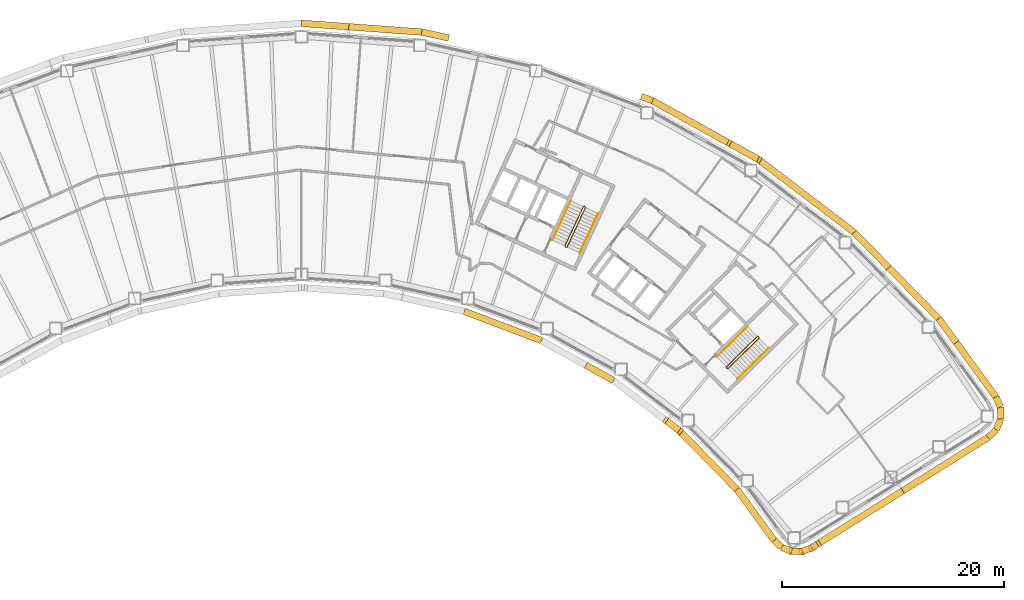
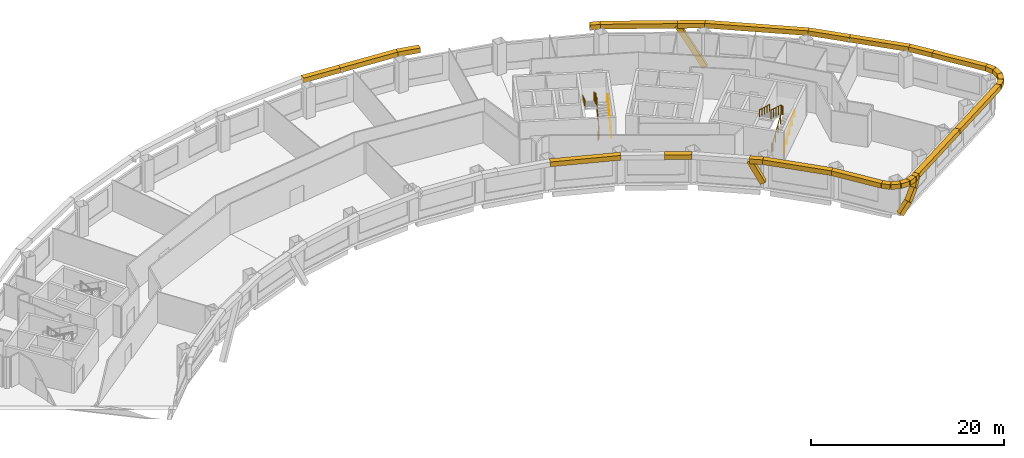
# One storey, part 12 of 13: 32 coverings, 6 railings.
"""IFC4 building model written with IfcOpenShell, lengths in metres."""

from ifc_helpers import new_model, si_unit, direction, frame, origin, origin_2d, place, context, subcontext, project, spatial, rectangle, circle, extrude, material, material_profile, profile_set, type_object, element, save


model = new_model("IFC4")

# Units and contexts
model_context = context("Model", 3, precision=1e-05, world=origin(), true_north=direction((0.0, 1.0)))
body_context = subcontext(model_context, "Body", "Model", "MODEL_VIEW")
ifc_project = project(units=[si_unit("LENGTHUNIT", "METRE"), si_unit("AREAUNIT", "SQUARE_METRE"), si_unit("VOLUMEUNIT", "CUBIC_METRE"), si_unit("PLANEANGLEUNIT", "RADIAN"), si_unit("MASSUNIT", "GRAM", prefix="KILO")], contexts=[model_context])

# Site, building, storey
site_placement = place(None, origin())
site = spatial("IfcSite", under=ifc_project, at=site_placement, CompositionType="ELEMENT")
building_placement = place(site_placement, origin())
building = spatial("IfcBuilding", under=site, at=building_placement, Name="Tuul Gate Civic Tower", CompositionType="ELEMENT")
storey_placement = place(building_placement, frame((0.0, 0.0, 111.89990234375)))
storey = spatial("IfcBuildingStorey", under=building, at=storey_placement, Name="Level 25", CompositionType="ELEMENT", Elevation=111.89990234375)

# Railings
ifc_material_1 = material(Name="Painted steel", Category="steel")
railing_type_1 = type_object("IfcRailingType", Name="Stair guard", PredefinedType="GUARDRAIL", material=ifc_material_1)
railing_1_placement = place(storey_placement, frame((48.10546875, -16.134765625, 0.0)))
element("IfcRailing", 1, at=railing_1_placement, inside=storey, type_object=railing_type_1, Name="Level 25 ST-3 stair guard 1", PredefinedType="GUARDRAIL", context=body_context, shape_type="SweptSolid", body=[
    extrude(circle(Radius=0.02392578125, at=origin_2d()), frame((0.0, 0.0, 1.076171875), z_axis=(-0.698506948293, 0.715603272202, 0.0), x_axis=(-0.715603272202, -0.698506948293, 0.0)), (0.0, 0.0, 1.0), 0.099853515625),
    extrude(circle(Radius=0.02392578125, at=origin_2d()), frame((-0.06982421875, 0.071533203125, 1.076171875), z_axis=(0.644948864628, -0.331432055434, 0.688617277337), x_axis=(0.457068866502, 0.889431307788, 0.0)), (0.0, 0.0, 1.0), 0.218017578125),
    extrude(circle(Radius=0.02392578125, at=origin_2d()), frame((0.07080078125, -0.000732421875, 1.22607421875), z_axis=(0.638731261263, 0.626133563701, 0.447190268558), x_axis=(-0.700029477518, 0.714113947914, 0.0)), (0.0, 0.0, 1.0), 4.3603515625),
    extrude(circle(Radius=0.02392578125, at=origin_2d()), frame((2.85595703125, 2.7294921875, 3.17626953125), z_axis=(0.010380063588, 0.999946125689, 0.0), x_axis=(-0.999946125689, 0.010380063588, 0.0)), (0.0, 0.0, 1.0), 0.070556640625),
    extrude(circle(Radius=0.02392578125, at=origin_2d()), frame((2.856689453125, 2.800048828125, 3.17626953125), z_axis=(-0.699754442181, 0.714383454909, 0.0), x_axis=(-0.714383454909, -0.699754442181, 0.0)), (0.0, 0.0, 1.0), 0.10009765625),
    extrude(circle(Radius=0.02392578125, at=origin_2d()), frame((2.78662109375, 2.87158203125, 3.17626953125), z_axis=(-0.427069033481, 0.004417955519, 0.904208229508), x_axis=(-0.010344274102, -0.999946496565, 0.0)), (0.0, 0.0, 1.0), 0.165771484375),
    extrude(circle(Radius=0.02392578125, at=origin_2d()), frame((2.7158203125, 2.872314453125, 3.326171875), z_axis=(-0.638715268259, -0.626117886127, 0.447235059857), x_axis=(0.700029477518, -0.714113947914, 0.0)), (0.0, 0.0, 1.0), 4.360595703125),
    extrude(circle(Radius=0.02099609375, at=origin_2d()), origin(), (0.0, 0.0, 1.0), 1.052001953125),
    extrude(circle(Radius=0.02099609375, at=origin_2d()), frame((-0.06982421875, 0.071533203125, 0.0)), (0.0, 0.0, 1.0), 1.052001953125),
    extrude(circle(Radius=0.02099609375, at=origin_2d()), frame((0.07080078125, -0.000732421875, 0.150146484375)), (0.0, 0.0, 1.0), 1.052001953125),
    extrude(circle(Radius=0.02099609375, at=origin_2d()), frame((0.76708984375, 0.681884765625, 0.6376953125)), (0.0, 0.0, 1.0), 1.052001953125),
    extrude(circle(Radius=0.02099609375, at=origin_2d()), frame((1.46337890625, 1.3642578125, 1.125)), (0.0, 0.0, 1.0), 1.052001953125),
    extrude(circle(Radius=0.02099609375, at=origin_2d()), frame((2.15966796875, 2.046875, 1.612548828125)), (0.0, 0.0, 1.0), 1.052001953125),
    extrude(circle(Radius=0.02099609375, at=origin_2d()), frame((2.85595703125, 2.7294921875, 2.10009765625)), (0.0, 0.0, 1.0), 1.052001953125),
    extrude(circle(Radius=0.02099609375, at=origin_2d()), frame((2.856689453125, 2.800048828125, 2.10009765625)), (0.0, 0.0, 1.0), 1.052001953125),
    extrude(circle(Radius=0.02099609375, at=origin_2d()), frame((2.78662109375, 2.87158203125, 2.10009765625)), (0.0, 0.0, 1.0), 1.052001953125),
    extrude(circle(Radius=0.02099609375, at=origin_2d()), frame((2.7158203125, 2.872314453125, 2.25)), (0.0, 0.0, 1.0), 1.052001953125),
    extrude(circle(Radius=0.02099609375, at=origin_2d()), frame((2.01953125, 2.189697265625, 2.737548828125)), (0.0, 0.0, 1.0), 1.052001953125),
    extrude(circle(Radius=0.02099609375, at=origin_2d()), frame((1.3232421875, 1.50732421875, 3.22509765625)), (0.0, 0.0, 1.0), 1.052001953125),
    extrude(circle(Radius=0.02099609375, at=origin_2d()), frame((0.626953125, 0.82470703125, 3.712646484375)), (0.0, 0.0, 1.0), 1.052001953125),
    extrude(circle(Radius=0.02099609375, at=origin_2d()), frame((-0.0693359375, 0.14208984375, 4.2001953125)), (0.0, 0.0, 1.0), 1.052001953125),
])
railing_2_placement = place(storey_placement, frame((33.645751953125, -5.238525390625, 0.0)))
element("IfcRailing", 2, at=railing_2_placement, inside=storey, type_object=railing_type_1, Name="Level 25 ST-4 stair guard 1", PredefinedType="GUARDRAIL", context=body_context, shape_type="SweptSolid", body=[
    extrude(circle(Radius=0.02392578125, at=origin_2d()), frame((0.0, 0.0, 1.076171875), z_axis=(-0.906307919131, 0.422617978463, 0.0), x_axis=(-0.422617978463, -0.906307919131, 0.0)), (0.0, 0.0, 1.0), 0.099853515625),
    extrude(circle(Radius=0.02392578125, at=origin_2d()), frame((-0.090576171875, 0.042236328125, 1.076171875), z_axis=(0.720179819621, -0.082882280952, 0.688818956559), x_axis=(0.114330889033, 0.993442724979, 0.0)), (0.0, 0.0, 1.0), 0.218017578125),
    extrude(circle(Radius=0.02392578125, at=origin_2d()), frame((0.06640625, 0.024169921875, 1.22607421875), z_axis=(0.377946903738, 0.810654114417, 0.447209173356), x_axis=(-0.906336612539, 0.422556439746, 0.0)), (0.0, 0.0, 1.0), 4.3603515625),
    extrude(circle(Radius=0.02392578125, at=origin_2d()), frame((1.71435546875, 3.558837890625, 3.17626953125), z_axis=(-0.342020437038, 0.939692513883, 0.0), x_axis=(-0.939692513883, -0.342020437038, 0.0)), (0.0, 0.0, 1.0), 0.070556640625),
    extrude(circle(Radius=0.02392578125, at=origin_2d()), frame((1.690185546875, 3.625244140625, 3.17626953125), z_axis=(-0.906307919131, 0.422617978463, 0.0), x_axis=(-0.422617978463, -0.906307919131, 0.0)), (0.0, 0.0, 1.0), 0.099853515625),
    extrude(circle(Radius=0.02392578125, at=origin_2d()), frame((1.599609375, 3.66748046875, 3.17626953125), z_axis=(-0.40070210376, -0.145843780413, 0.904526072458), x_axis=(0.342020437038, -0.939692513883, 0.0)), (0.0, 0.0, 1.0), 0.165771484375),
    extrude(circle(Radius=0.02392578125, at=origin_2d()), frame((1.533203125, 3.643310546875, 3.326171875), z_axis=(-0.377937439636, -0.810633814971, 0.447253965602), x_axis=(0.906336612539, -0.422556439746, 0.0)), (0.0, 0.0, 1.0), 4.3603515625),
    extrude(circle(Radius=0.02099609375, at=origin_2d()), origin(), (0.0, 0.0, 1.0), 1.052001953125),
    extrude(circle(Radius=0.02099609375, at=origin_2d()), frame((-0.090576171875, 0.042236328125, 0.0)), (0.0, 0.0, 1.0), 1.052001953125),
    extrude(circle(Radius=0.02099609375, at=origin_2d()), frame((0.06640625, 0.024169921875, 0.150146484375)), (0.0, 0.0, 1.0), 1.052001953125),
    extrude(circle(Radius=0.02099609375, at=origin_2d()), frame((0.478515625, 0.90771484375, 0.6376953125)), (0.0, 0.0, 1.0), 1.052001953125),
    extrude(circle(Radius=0.02099609375, at=origin_2d()), frame((0.890380859375, 1.79150390625, 1.125)), (0.0, 0.0, 1.0), 1.052001953125),
    extrude(circle(Radius=0.02099609375, at=origin_2d()), frame((1.30224609375, 2.67529296875, 1.612548828125)), (0.0, 0.0, 1.0), 1.052001953125),
    extrude(circle(Radius=0.02099609375, at=origin_2d()), frame((1.71435546875, 3.558837890625, 2.10009765625)), (0.0, 0.0, 1.0), 1.052001953125),
    extrude(circle(Radius=0.02099609375, at=origin_2d()), frame((1.690185546875, 3.625244140625, 2.10009765625)), (0.0, 0.0, 1.0), 1.052001953125),
    extrude(circle(Radius=0.02099609375, at=origin_2d()), frame((1.599609375, 3.66748046875, 2.10009765625)), (0.0, 0.0, 1.0), 1.052001953125),
    extrude(circle(Radius=0.02099609375, at=origin_2d()), frame((1.533203125, 3.643310546875, 2.25)), (0.0, 0.0, 1.0), 1.052001953125),
    extrude(circle(Radius=0.02099609375, at=origin_2d()), frame((1.12109375, 2.759765625, 2.737548828125)), (0.0, 0.0, 1.0), 1.052001953125),
    extrude(circle(Radius=0.02099609375, at=origin_2d()), frame((0.709228515625, 1.8759765625, 3.22509765625)), (0.0, 0.0, 1.0), 1.052001953125),
    extrude(circle(Radius=0.02099609375, at=origin_2d()), frame((0.29736328125, 0.9921875, 3.712646484375)), (0.0, 0.0, 1.0), 1.052001953125),
    extrude(circle(Radius=0.02099609375, at=origin_2d()), frame((-0.11474609375, 0.108642578125, 4.2001953125)), (0.0, 0.0, 1.0), 1.052001953125),
])
ifc_material_2 = material(Name="Painted steel", Category="steel")
railing_type_2 = type_object("IfcRailingType", Name="Stair handrail", PredefinedType="HANDRAIL", material=ifc_material_2)
railing_3_placement = place(storey_placement, frame((49.05126953125, -17.028076171875, 0.150146484375)))
element("IfcRailing", 3, at=railing_3_placement, inside=storey, type_object=railing_type_2, Name="Level 25 ST-3 stair handrail 1", PredefinedType="HANDRAIL", context=body_context, shape_type="SweptSolid", body=[
    extrude(circle(Radius=0.02392578125, at=origin_2d()), frame((0.0, 0.0, 0.8759765625), z_axis=(0.638753653487, 0.626099522554, 0.447205945863), x_axis=(-0.699997553204, 0.714145241186, 0.0)), (0.0, 0.0, 1.0), 4.3603515625),
    extrude(circle(Radius=0.02099609375, at=origin_2d()), origin(), (0.0, 0.0, 1.0), 0.851806640625),
    extrude(circle(Radius=0.02099609375, at=origin_2d()), frame((0.6962890625, 0.6826171875, 0.487548828125)), (0.0, 0.0, 1.0), 0.851806640625),
    extrude(circle(Radius=0.02099609375, at=origin_2d()), frame((1.392578125, 1.364990234375, 0.97509765625)), (0.0, 0.0, 1.0), 0.851806640625),
    extrude(circle(Radius=0.02099609375, at=origin_2d()), frame((2.0888671875, 2.04736328125, 1.46240234375)), (0.0, 0.0, 1.0), 0.851806640625),
    extrude(circle(Radius=0.02099609375, at=origin_2d()), frame((2.78515625, 2.72998046875, 1.949951171875)), (0.0, 0.0, 1.0), 0.851806640625),
])
railing_4_placement = place(storey_placement, frame((49.9462890625, -12.369873046875, 2.25)))
element("IfcRailing", 4, at=railing_4_placement, inside=storey, type_object=railing_type_2, Name="Level 25 ST-3 stair handrail 2", PredefinedType="HANDRAIL", context=body_context, shape_type="SweptSolid", body=[
    extrude(circle(Radius=0.02392578125, at=origin_2d()), frame((0.0, 0.0, 0.8759765625), z_axis=(-0.638737658801, -0.626083844733, 0.447250737947), x_axis=(0.699997553204, -0.714145241186, 0.0)), (0.0, 0.0, 1.0), 4.3603515625),
    extrude(circle(Radius=0.02099609375, at=origin_2d()), origin(), (0.0, 0.0, 1.0), 0.851806640625),
    extrude(circle(Radius=0.02099609375, at=origin_2d()), frame((-0.6962890625, -0.6826171875, 0.487548828125)), (0.0, 0.0, 1.0), 0.851806640625),
    extrude(circle(Radius=0.02099609375, at=origin_2d()), frame((-1.392578125, -1.364990234375, 0.97509765625)), (0.0, 0.0, 1.0), 0.851806640625),
    extrude(circle(Radius=0.02099609375, at=origin_2d()), frame((-2.0888671875, -2.04736328125, 1.462646484375)), (0.0, 0.0, 1.0), 0.851806640625),
    extrude(circle(Radius=0.02099609375, at=origin_2d()), frame((-2.78515625, -2.72998046875, 1.9501953125)), (0.0, 0.0, 1.0), 0.851806640625),
])
railing_5_placement = place(storey_placement, frame((34.844970703125, -5.74267578125, 0.150146484375)))
element("IfcRailing", 5, at=railing_5_placement, inside=storey, type_object=railing_type_2, Name="Level 25 ST-4 stair handrail 1", PredefinedType="HANDRAIL", context=body_context, shape_type="SweptSolid", body=[
    extrude(circle(Radius=0.02392578125, at=origin_2d()), frame((0.0, 0.0, 0.8759765625), z_axis=(0.377994896215, 0.810636958585, 0.447199709091), x_axis=(-0.906312636903, 0.422607861012, 0.0)), (0.0, 0.0, 1.0), 4.3603515625),
    extrude(circle(Radius=0.02099609375, at=origin_2d()), origin(), (0.0, 0.0, 1.0), 0.851806640625),
    extrude(circle(Radius=0.02099609375, at=origin_2d()), frame((0.412109375, 0.8837890625, 0.487548828125)), (0.0, 0.0, 1.0), 0.851806640625),
    extrude(circle(Radius=0.02099609375, at=origin_2d()), frame((0.82421875, 1.767333984375, 0.97509765625)), (0.0, 0.0, 1.0), 0.851806640625),
    extrude(circle(Radius=0.02099609375, at=origin_2d()), frame((1.236083984375, 2.65087890625, 1.46240234375)), (0.0, 0.0, 1.0), 0.851806640625),
    extrude(circle(Radius=0.02099609375, at=origin_2d()), frame((1.648193359375, 3.53466796875, 1.949951171875)), (0.0, 0.0, 1.0), 0.851806640625),
])
railing_6_placement = place(storey_placement, frame((34.046142578125, -1.06689453125, 2.25)))
element("IfcRailing", 6, at=railing_6_placement, inside=storey, type_object=railing_type_2, Name="Level 25 ST-4 stair handrail 2", PredefinedType="HANDRAIL", context=body_context, shape_type="SweptSolid", body=[
    extrude(circle(Radius=0.02392578125, at=origin_2d()), frame((0.0, 0.0, 0.8759765625), z_axis=(-0.377985431313, -0.810616660428, 0.447244500863), x_axis=(0.906312636903, -0.422607861012, 0.0)), (0.0, 0.0, 1.0), 4.3603515625),
    extrude(circle(Radius=0.02099609375, at=origin_2d()), origin(), (0.0, 0.0, 1.0), 0.851806640625),
    extrude(circle(Radius=0.02099609375, at=origin_2d()), frame((-0.412109375, -0.8837890625, 0.487548828125)), (0.0, 0.0, 1.0), 0.851806640625),
    extrude(circle(Radius=0.02099609375, at=origin_2d()), frame((-0.82421875, -1.767333984375, 0.97509765625)), (0.0, 0.0, 1.0), 0.851806640625),
    extrude(circle(Radius=0.02099609375, at=origin_2d()), frame((-1.236083984375, -2.65087890625, 1.462646484375)), (0.0, 0.0, 1.0), 0.851806640625),
    extrude(circle(Radius=0.02099609375, at=origin_2d()), frame((-1.648193359375, -3.53466796875, 1.9501953125)), (0.0, 0.0, 1.0), 0.851806640625),
])

# Coverings
ifc_material_3 = material(Name="Terracotta baguette", Category="masonry")
ifc_material_profile = material_profile(ifc_material_3, rectangle(XDim=0.60009765625, YDim=0.60009765625, at=origin_2d()), Name="Terracotta baguette screen frame")
ifc_profile_set = profile_set([ifc_material_profile], Name="Terracotta baguette")
covering_type = type_object("IfcCoveringType", Name="Terracotta baguette screen frame", PredefinedType="CLADDING", material=ifc_profile_set)
covering_1_placement = place(storey_placement, frame((68.69921875, -13.815673828125, 3.85009765625), z_axis=(-0.589849818938, 0.80751296652, 0.0), x_axis=(-0.80751296652, -0.589849818938, 0.0)))
element("IfcCovering", 7, at=covering_1_placement, inside=storey, type_object=covering_type, Name="Baguette 23", PredefinedType="CLADDING", context=body_context, shape_type="SweptSolid", body=[
    extrude(rectangle(XDim=0.60009765625, YDim=0.60009765625, at=origin_2d()), origin(), (0.0, 0.0, 1.0), 2.6796875),
])
covering_2_placement = place(storey_placement, frame((67.11865234375, -11.65185546875, 3.85009765625), z_axis=(-0.699983010406, 0.714159495591, 0.0), x_axis=(-0.714159495591, -0.699983010406, 0.0)))
element("IfcCovering", 8, at=covering_2_placement, inside=storey, type_object=covering_type, Name="Baguette 24", PredefinedType="CLADDING", context=body_context, shape_type="SweptSolid", body=[
    extrude(rectangle(XDim=0.60009765625, YDim=0.60009765625, at=origin_2d()), origin(), (0.0, 0.0, 1.0), 6.406494140625),
])
covering_3_placement = place(storey_placement, frame((50.88916015625, 2.671630859375, -1.42431640625), z_axis=(-0.41562619347, 0.230355879497, 0.879881262491), x_axis=(-0.484762160547, -0.874646012797, 0.0)))
element("IfcCovering", 9, at=covering_3_placement, inside=storey, type_object=covering_type, Name="Baguette 40", PredefinedType="CLADDING", context=body_context, shape_type="SweptSolid", body=[
    extrude(rectangle(XDim=0.60009765625, YDim=0.60009765625, at=origin_2d()), origin(), (0.0, 0.0, 1.0), 5.994384765625),
])
covering_4_placement = place(storey_placement, frame((48.397705078125, 4.052490234375, 3.85009765625), z_axis=(-0.874620231092, 0.484808675009, 0.0), x_axis=(-0.484808675009, -0.874620231092, 0.0)))
element("IfcCovering", 10, at=covering_4_placement, inside=storey, type_object=covering_type, Name="Baguette 47", PredefinedType="CLADDING", context=body_context, shape_type="SweptSolid", body=[
    extrude(rectangle(XDim=0.60009765625, YDim=0.60009765625, at=origin_2d()), origin(), (0.0, 0.0, 1.0), 8.0029296875),
])
covering_5_placement = place(storey_placement, frame((41.398193359375, 7.932373046875, 3.85009765625), z_axis=(-0.935406677507, 0.353573680688, 0.0), x_axis=(-0.353573680688, -0.935406677507, 0.0)))
element("IfcCovering", 11, at=covering_5_placement, inside=storey, type_object=covering_type, Name="Baguette 48", PredefinedType="CLADDING", context=body_context, shape_type="SweptSolid", body=[
    extrude(rectangle(XDim=0.60009765625, YDim=0.60009765625, at=origin_2d()), origin(), (0.0, 0.0, 1.0), 1.069580078125),
])
covering_6_placement = place(storey_placement, frame((23.0810546875, 13.569580078125, 3.85009765625), z_axis=(-0.976571103923, 0.215194978989, 0.0), x_axis=(-0.215194978989, -0.976571103923, 0.0)))
element("IfcCovering", 12, at=covering_6_placement, inside=storey, type_object=covering_type, Name="Baguette 65", PredefinedType="CLADDING", context=body_context, shape_type="SweptSolid", body=[
    extrude(rectangle(XDim=0.60009765625, YDim=0.60009765625, at=origin_2d()), origin(), (0.0, 0.0, 1.0), 2.488037109375),
])
covering_7_placement = place(storey_placement, frame((20.6513671875, 14.10498046875, 3.85009765625), z_axis=(-0.997379990438, 0.072340546539, 0.0), x_axis=(-0.072340546539, -0.997379990438, 0.0)))
element("IfcCovering", 13, at=covering_7_placement, inside=storey, type_object=covering_type, Name="Baguette 66", PredefinedType="CLADDING", context=body_context, shape_type="SweptSolid", body=[
    extrude(rectangle(XDim=0.60009765625, YDim=0.60009765625, at=origin_2d()), origin(), (0.0, 0.0, 1.0), 6.58447265625),
])
covering_8_placement = place(storey_placement, frame((35.40283203125, -15.841552734375, 3.85009765625), z_axis=(0.874621104425, -0.484807099468, 0.0), x_axis=(0.484807099468, 0.874621104425, 0.0)))
element("IfcCovering", 14, at=covering_8_placement, inside=storey, type_object=covering_type, Name="Baguette 242", PredefinedType="CLADDING", context=body_context, shape_type="SweptSolid", body=[
    extrude(rectangle(XDim=0.60009765625, YDim=0.60009765625, at=origin_2d()), origin(), (0.0, 0.0, 1.0), 2.852783203125),
])
covering_9_placement = place(storey_placement, frame((42.670654296875, -20.859130859375, 3.85009765625), z_axis=(0.370840052138, -0.282441666359, -0.88470580468), x_axis=(0.605903218939, 0.795538364429, 0.0)))
element("IfcCovering", 15, at=covering_9_placement, inside=storey, type_object=covering_type, Name="Baguette 246", PredefinedType="CLADDING", context=body_context, shape_type="SweptSolid", body=[
    extrude(rectangle(XDim=0.60009765625, YDim=0.60009765625, at=origin_2d()), origin(), (0.0, 0.0, 1.0), 3.04345703125),
])
covering_10_placement = place(storey_placement, frame((53.899658203125, -32.571533203125, 0.17626953125), z_axis=(0.60248769528, -0.001814266586, 0.798126108753), x_axis=(0.003011278693, 0.99999546609, 0.0)))
element("IfcCovering", 16, at=covering_10_placement, inside=storey, type_object=covering_type, Name="Baguette 267", PredefinedType="CLADDING", context=body_context, shape_type="SweptSolid", body=[
    extrude(rectangle(XDim=0.60009765625, YDim=0.60009765625, at=origin_2d()), origin(), (0.0, 0.0, 1.0), 1.61474609375),
])
covering_11_placement = place(storey_placement, frame((54.87255859375, -32.574462890625, 1.465087890625), z_axis=(0.534089777671, 0.207744645016, 0.819506114592), x_axis=(-0.362511535842, 0.931979284309, 0.0)))
element("IfcCovering", 17, at=covering_11_placement, inside=storey, type_object=covering_type, Name="Baguette 268", PredefinedType="CLADDING", context=body_context, shape_type="SweptSolid", body=[
    extrude(rectangle(XDim=0.60009765625, YDim=0.60009765625, at=origin_2d()), origin(), (0.0, 0.0, 1.0), 1.57470703125),
])
covering_12_placement = place(storey_placement, frame((55.713623046875, -32.247314453125, 2.755615234375), z_axis=(0.402352266006, 0.251347438013, 0.880305128603), x_axis=(-0.52981289744, 0.848114552231, 0.0)))
element("IfcCovering", 18, at=covering_12_placement, inside=storey, type_object=covering_type, Name="Baguette 269", PredefinedType="CLADDING", context=body_context, shape_type="SweptSolid", body=[
    extrude(rectangle(XDim=0.60009765625, YDim=0.60009765625, at=origin_2d()), origin(), (0.0, 0.0, 1.0), 1.243408203125),
])
covering_13_placement = place(storey_placement, frame((56.2138671875, -31.934814453125, 3.85009765625), z_axis=(0.848058898511, 0.529901976461, 0.0), x_axis=(-0.529901976461, 0.848058898511, 0.0)))
element("IfcCovering", 19, at=covering_13_placement, inside=storey, type_object=covering_type, Name="Baguette 283", PredefinedType="CLADDING", context=body_context, shape_type="SweptSolid", body=[
    extrude(rectangle(XDim=0.60009765625, YDim=0.60009765625, at=origin_2d()), origin(), (0.0, 0.0, 1.0), 9.05322265625),
])
covering_14_placement = place(storey_placement, frame((63.8916015625, -27.137451171875, 3.85009765625), z_axis=(0.848046779804, 0.529921370832, 0.0), x_axis=(-0.529921370832, 0.848046779804, 0.0)))
element("IfcCovering", 20, at=covering_14_placement, inside=storey, type_object=covering_type, Name="Baguette 285", PredefinedType="CLADDING", context=body_context, shape_type="SweptSolid", body=[
    extrude(rectangle(XDim=0.60009765625, YDim=0.60009765625, at=origin_2d()), origin(), (0.0, 0.0, 1.0), 9.053466796875),
])
covering_15_placement = place(storey_placement, frame((71.5693359375, -22.33984375, 3.85009765625), z_axis=(0.721550422979, 0.69236189027, 0.0), x_axis=(-0.69236189027, 0.721550422979, 0.0)))
element("IfcCovering", 21, at=covering_15_placement, inside=storey, type_object=covering_type, Name="Baguette 286", PredefinedType="CLADDING", context=body_context, shape_type="SweptSolid", body=[
    extrude(rectangle(XDim=0.60009765625, YDim=0.60009765625, at=origin_2d()), origin(), (0.0, 0.0, 1.0), 0.987060546875),
])
for number, where, z_axis, x_axis, name in (
    (22, (72.281494140625, -21.656494140625, 3.85009765625), (0.386726676251, 0.922194381829, 0.0), (-0.922194381829, 0.386726676251, 0.0), "Baguette 287"),
    (23, (72.694091796875, -20.672607421875, 3.85009765625), (-0.014414978083, 0.999896098806, 0.0), (-0.999896098806, -0.014414978083, 0.0), "Baguette 288"),
):
    element("IfcCovering", number, at=place(storey_placement, frame(where, z_axis=z_axis, x_axis=x_axis)), inside=storey, type_object=covering_type, Name=name, PredefinedType="CLADDING", context=body_context, shape_type="SweptSolid", body=[
        extrude(rectangle(XDim=0.60009765625, YDim=0.60009765625, at=origin_2d()), origin(), (0.0, 0.0, 1.0), 1.06689453125),
    ])
covering_16_placement = place(storey_placement, frame((72.6787109375, -19.605712890625, 3.85009765625), z_axis=(-0.4130215853, 0.910721236206, 0.0), x_axis=(-0.910721236206, -0.4130215853, 0.0)))
element("IfcCovering", 24, at=covering_16_placement, inside=storey, type_object=covering_type, Name="Baguette 289", PredefinedType="CLADDING", context=body_context, shape_type="SweptSolid", body=[
    extrude(rectangle(XDim=0.60009765625, YDim=0.60009765625, at=origin_2d()), origin(), (0.0, 0.0, 1.0), 0.989013671875),
])
covering_17_placement = place(storey_placement, frame((72.270263671875, -18.705078125, 3.85009765625), z_axis=(-0.58980325004, 0.807546980827, 0.0), x_axis=(-0.807546980827, -0.58980325004, 0.0)))
element("IfcCovering", 25, at=covering_17_placement, inside=storey, type_object=covering_type, Name="Baguette 290", PredefinedType="CLADDING", context=body_context, shape_type="SweptSolid", body=[
    extrude(rectangle(XDim=0.60009765625, YDim=0.60009765625, at=origin_2d()), origin(), (0.0, 0.0, 1.0), 6.0546875),
])
covering_18_placement = place(storey_placement, frame((62.63427734375, -7.07666015625, 3.85009765625), z_axis=(-0.699986292885, 0.714156278257, 0.0), x_axis=(-0.714156278257, -0.699986292885, 0.0)))
element("IfcCovering", 26, at=covering_18_placement, inside=storey, type_object=covering_type, Name="Baguette 297", PredefinedType="CLADDING", context=body_context, shape_type="SweptSolid", body=[
    extrude(rectangle(XDim=0.60009765625, YDim=0.60009765625, at=origin_2d()), origin(), (0.0, 0.0, 1.0), 4.445068359375),
])
covering_19_placement = place(storey_placement, frame((59.522705078125, -3.902099609375, 3.85009765625), z_axis=(-0.795618643442, 0.605797799771, 0.0), x_axis=(-0.605797799771, -0.795618643442, 0.0)))
element("IfcCovering", 27, at=covering_19_placement, inside=storey, type_object=covering_type, Name="Baguette 298", PredefinedType="CLADDING", context=body_context, shape_type="SweptSolid", body=[
    extrude(rectangle(XDim=0.60009765625, YDim=0.60009765625, at=origin_2d()), origin(), (0.0, 0.0, 1.0), 10.851318359375),
])
covering_20_placement = place(storey_placement, frame((50.88916015625, 2.671630859375, 3.85009765625), z_axis=(-0.874646012797, 0.484762160547, 0.0), x_axis=(-0.484762160547, -0.874646012797, 0.0)))
element("IfcCovering", 28, at=covering_20_placement, inside=storey, type_object=covering_type, Name="Baguette 299", PredefinedType="CLADDING", context=body_context, shape_type="SweptSolid", body=[
    extrude(rectangle(XDim=0.60009765625, YDim=0.60009765625, at=origin_2d()), origin(), (0.0, 0.0, 1.0), 2.8486328125),
])
covering_21_placement = place(storey_placement, frame((14.084228515625, 14.581298828125, 3.85009765625), z_axis=(-0.997380549591, 0.07233283692, 0.0), x_axis=(-0.07233283692, -0.997380549591, 0.0)))
element("IfcCovering", 29, at=covering_21_placement, inside=storey, type_object=covering_type, Name="Baguette 312", PredefinedType="CLADDING", context=body_context, shape_type="SweptSolid", body=[
    extrude(rectangle(XDim=0.60009765625, YDim=0.60009765625, at=origin_2d()), origin(), (0.0, 0.0, 1.0), 4.266357421875),
])
covering_22_placement = place(storey_placement, frame((24.471435546875, -11.004638671875, 3.85009765625), z_axis=(0.935357193845, -0.353704565878, 0.0), x_axis=(0.353704565878, 0.935357193845, 0.0)))
element("IfcCovering", 30, at=covering_22_placement, inside=storey, type_object=covering_type, Name="Baguette 361", PredefinedType="CLADDING", context=body_context, shape_type="SweptSolid", body=[
    extrude(rectangle(XDim=0.60009765625, YDim=0.60009765625, at=origin_2d()), origin(), (0.0, 0.0, 1.0), 7.41796875),
])
covering_23_placement = place(storey_placement, frame((42.670654296875, -20.859130859375, 3.85009765625), z_axis=(0.795538364429, -0.605903218939, 0.0), x_axis=(0.605903218939, 0.795538364429, 0.0)))
element("IfcCovering", 31, at=covering_23_placement, inside=storey, type_object=covering_type, Name="Baguette 363", PredefinedType="CLADDING", context=body_context, shape_type="SweptSolid", body=[
    extrude(rectangle(XDim=0.60009765625, YDim=0.60009765625, at=origin_2d()), origin(), (0.0, 0.0, 1.0), 1.418701171875),
])
covering_24_placement = place(storey_placement, frame((43.79931640625, -21.71875, 3.85009765625), z_axis=(0.700045416035, -0.714098323404, 0.0), x_axis=(0.714098323404, 0.700045416035, 0.0)))
element("IfcCovering", 32, at=covering_24_placement, inside=storey, type_object=covering_type, Name="Baguette 364", PredefinedType="CLADDING", context=body_context, shape_type="SweptSolid", body=[
    extrude(rectangle(XDim=0.60009765625, YDim=0.60009765625, at=origin_2d()), origin(), (0.0, 0.0, 1.0), 7.418212890625),
])
covering_25_placement = place(storey_placement, frame((48.992431640625, -27.01611328125, 3.85009765625), z_axis=(0.589729447422, -0.807600878432, 0.0), x_axis=(0.807600878432, 0.589729447422, 0.0)))
element("IfcCovering", 33, at=covering_25_placement, inside=storey, type_object=covering_type, Name="Baguette 365", PredefinedType="CLADDING", context=body_context, shape_type="SweptSolid", body=[
    extrude(rectangle(XDim=0.60009765625, YDim=0.60009765625, at=origin_2d()), origin(), (0.0, 0.0, 1.0), 5.671142578125),
])
covering_26_placement = place(storey_placement, frame((52.3369140625, -31.59619140625, 3.85009765625), z_axis=(0.729874818013, -0.683580829185, 0.0), x_axis=(0.683580829185, 0.729874818013, 0.0)))
element("IfcCovering", 34, at=covering_26_placement, inside=storey, type_object=covering_type, Name="Baguette 366", PredefinedType="CLADDING", context=body_context, shape_type="SweptSolid", body=[
    extrude(rectangle(XDim=0.60009765625, YDim=0.60009765625, at=origin_2d()), origin(), (0.0, 0.0, 1.0), 0.90185546875),
])
covering_27_placement = place(storey_placement, frame((52.9951171875, -32.212646484375, 3.85009765625), z_axis=(0.92951118864, -0.368793912902, 0.0), x_axis=(0.368793912902, 0.92951118864, 0.0)))
element("IfcCovering", 35, at=covering_27_placement, inside=storey, type_object=covering_type, Name="Baguette 367", PredefinedType="CLADDING", context=body_context, shape_type="SweptSolid", body=[
    extrude(rectangle(XDim=0.60009765625, YDim=0.60009765625, at=origin_2d()), origin(), (0.0, 0.0, 1.0), 0.97314453125),
])
covering_28_placement = place(storey_placement, frame((53.899658203125, -32.571533203125, 3.85009765625), z_axis=(0.99999546609, -0.003011278693, 0.0), x_axis=(0.003011278693, 0.99999546609, 0.0)))
element("IfcCovering", 36, at=covering_28_placement, inside=storey, type_object=covering_type, Name="Baguette 368", PredefinedType="CLADDING", context=body_context, shape_type="SweptSolid", body=[
    extrude(rectangle(XDim=0.60009765625, YDim=0.60009765625, at=origin_2d()), origin(), (0.0, 0.0, 1.0), 0.972900390625),
])
covering_29_placement = place(storey_placement, frame((54.87255859375, -32.574462890625, 3.85009765625), z_axis=(0.931979284309, 0.362511535842, 0.0), x_axis=(-0.362511535842, 0.931979284309, 0.0)))
element("IfcCovering", 37, at=covering_29_placement, inside=storey, type_object=covering_type, Name="Baguette 369", PredefinedType="CLADDING", context=body_context, shape_type="SweptSolid", body=[
    extrude(rectangle(XDim=0.60009765625, YDim=0.60009765625, at=origin_2d()), origin(), (0.0, 0.0, 1.0), 0.90234375),
])
covering_30_placement = place(storey_placement, frame((55.713623046875, -32.247314453125, 3.85009765625), z_axis=(0.848114552231, 0.52981289744, 0.0), x_axis=(-0.52981289744, 0.848114552231, 0.0)))
element("IfcCovering", 38, at=covering_30_placement, inside=storey, type_object=covering_type, Name="Baguette 370", PredefinedType="CLADDING", context=body_context, shape_type="SweptSolid", body=[
    extrude(rectangle(XDim=0.60009765625, YDim=0.60009765625, at=origin_2d()), origin(), (0.0, 0.0, 1.0), 0.58984375),
])

save(model, "model.ifc")
